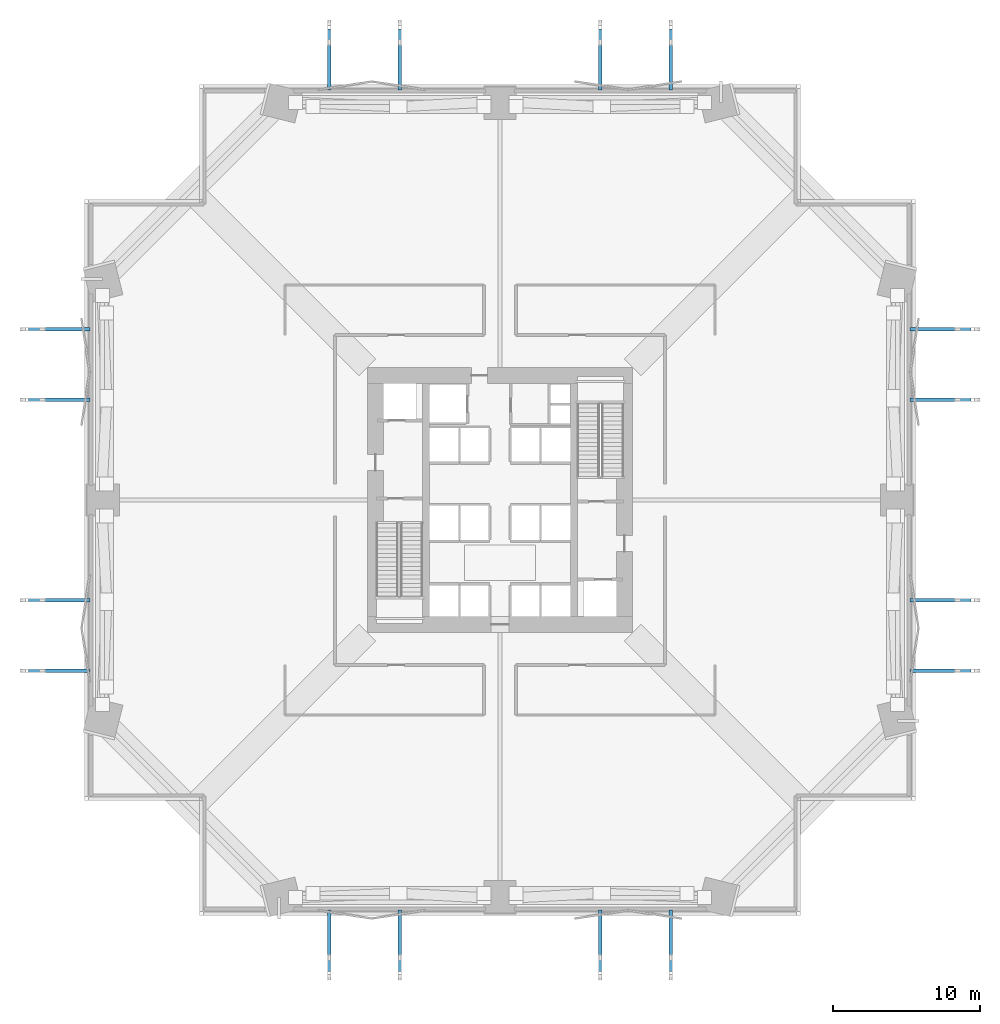
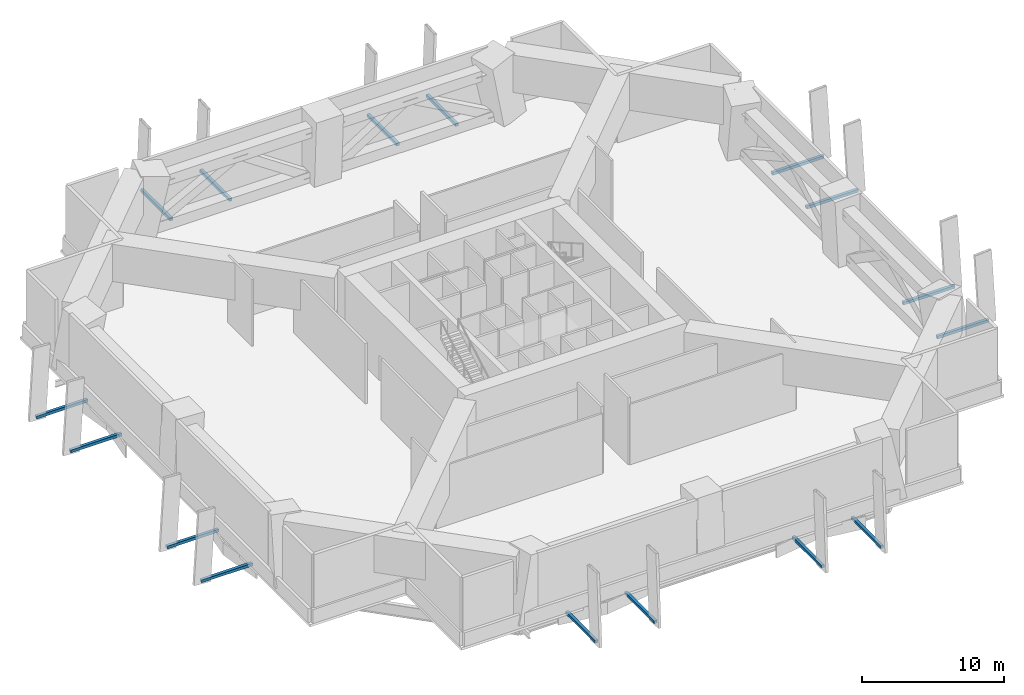
# One storey, part 5 of 6: 16 discrete accessories.
"""IFC4 building model written with IfcOpenShell, lengths in metres."""

import ifcopenshell
import ifcopenshell.guid

model = None  # the IFC model being written
_history = None  # IfcOwnerHistory: only IFC2X3 demands one
_inside = {}  # id of a spatial element -> (the spatial element, [elements in it])
_under = {}  # id of a project, library or spatial element -> (it, [spatial elements below it])
_declared = {}  # id of a project -> (the project, [libraries it declares])
_typed = {}  # id of a type object -> (the type object, [elements of that type])
_made_of = {}  # id of a material, layer set ... -> (it, [elements and type objects made of it])


def new_model(schema):
    """Start an empty IFC model of exactly this schema.

    Asked for "IFC4X3", IfcOpenShell would pick the latest addendum, in which some entities
    have other attributes; the version numbers below select the first issue.
    IFC2X3 requires an IfcOwnerHistory on every rooted entity: one is made here for all.
    """
    global model, _history
    if schema == "IFC4X3":
        model = ifcopenshell.file(schema_version=(4, 3, 0, 0))
    else:
        model = ifcopenshell.file(schema=schema)
    _inside.clear()
    _under.clear()
    _declared.clear()
    _typed.clear()
    _made_of.clear()
    _history = None
    if model.schema == "IFC2X3":
        org = make("IfcOrganization", Name="unknown")
        user = make(
            "IfcPersonAndOrganization",
            ThePerson=make("IfcPerson", FamilyName="unknown"),
            TheOrganization=org,
        )
        app = make(
            "IfcApplication",
            ApplicationDeveloper=org,
            Version="unknown",
            ApplicationFullName="unknown",
            ApplicationIdentifier="unknown",
        )
        _history = make(
            "IfcOwnerHistory",
            OwningUser=user,
            OwningApplication=app,
            ChangeAction="ADDED",
            CreationDate=0,
        )
    return model


def make(cls, **values):
    """One entity of the class cls with the attributes given. An attribute that is None is left unset."""
    return model.create_entity(
        cls, **{name: value for name, value in values.items() if value is not None}
    )


def rooted(cls, **values):
    """An entity with a GlobalId (a new one), such as an element, a storey or a relation."""
    return make(cls, GlobalId=ifcopenshell.guid.new(), OwnerHistory=_history, **values)


def si_unit(unit_type, name, prefix=None):
    """IfcSIUnit, for example si_unit("LENGTHUNIT", "METRE", prefix="MILLI")."""
    return make("IfcSIUnit", UnitType=unit_type, Prefix=prefix, Name=name)


def assignment(units):
    """IfcUnitAssignment: the units of a project."""
    return None if units is None else make("IfcUnitAssignment", Units=units)


def point(xyz):
    """IfcCartesianPoint."""
    return None if xyz is None else make("IfcCartesianPoint", Coordinates=xyz)


def direction(xyz):
    """IfcDirection."""
    return None if xyz is None else make("IfcDirection", DirectionRatios=xyz)


def frame(location, z_axis=None, x_axis=None):
    """IfcAxis2Placement3D, a coordinate frame: its origin and axes. An axis left out is left unset."""
    return make(
        "IfcAxis2Placement3D",
        Location=point(location),
        Axis=direction(z_axis),
        RefDirection=direction(x_axis),
    )


def frame_2d(location, x_axis=None):
    """IfcAxis2Placement2D, a coordinate frame in the plane: its origin and x axis."""
    return make(
        "IfcAxis2Placement2D", Location=point(location), RefDirection=direction(x_axis)
    )


def origin():
    """The frame at (0, 0, 0) with its axes left unset."""
    return frame((0.0, 0.0, 0.0))


def origin_2d():
    """The frame at (0, 0) in the plane with its x axis left unset."""
    return frame_2d((0.0, 0.0))


def place(relative_to, where):
    """IfcLocalPlacement: puts the frame where relative to a parent placement (None: the world)."""
    return make(
        "IfcLocalPlacement", PlacementRelTo=relative_to, RelativePlacement=where
    )


def context(
    kind, dimensions, precision=None, world=None, true_north=None, identifier=None
):
    """IfcGeometricRepresentationContext, for example the 3D "Model" context."""
    return make(
        "IfcGeometricRepresentationContext",
        ContextIdentifier=identifier,
        ContextType=kind,
        CoordinateSpaceDimension=dimensions,
        Precision=precision,
        WorldCoordinateSystem=world,
        TrueNorth=true_north,
    )


def subcontext(parent, identifier, kind, view, scale=None):
    """IfcGeometricRepresentationSubContext, for example "Body" below "Model"."""
    return make(
        "IfcGeometricRepresentationSubContext",
        ContextIdentifier=identifier,
        ContextType=kind,
        ParentContext=parent,
        TargetScale=scale,
        TargetView=view,
    )


def project(units=None, contexts=None):
    """IfcProject with its units and contexts."""
    return rooted(
        "IfcProject",
        Name="project",
        RepresentationContexts=contexts,
        UnitsInContext=assignment(units),
    )


def spatial(cls, under=None, at=None, **own):
    """A site, building, storey or space (cls), placed at a placement, below another one or the project."""
    s = rooted(cls, ObjectPlacement=at, **own)
    if under is not None:
        _under.setdefault(under.id(), (under, []))[1].append(s)
    return s


def profile(cls, at=None, kind="AREA", **sizes):
    """A parametric profile (cls). Its sizes go by their IFC names, for example OverallWidth=200.0."""
    return make(cls, ProfileType=kind, Position=at, **sizes)


def rectangle(**sizes):
    """IfcRectangleProfileDef."""
    return profile("IfcRectangleProfileDef", **sizes)


def extrude(swept, where, along, depth):
    """IfcExtrudedAreaSolid: the profile swept, set in the frame where, extruded along a direction by depth."""
    return make(
        "IfcExtrudedAreaSolid",
        SweptArea=swept,
        Position=where,
        ExtrudedDirection=direction(along),
        Depth=depth,
    )


def shape(context_of_items, identifier, shape_type, items):
    """IfcShapeRepresentation: the items that make up one representation, for example the "Body"."""
    return make(
        "IfcShapeRepresentation",
        ContextOfItems=context_of_items,
        RepresentationIdentifier=identifier,
        RepresentationType=shape_type,
        Items=items,
    )


def material(Name=None, Category=None):
    """IfcMaterial."""
    return make("IfcMaterial", Name=Name, Category=Category)


def layer(
    of_material, thickness, ventilated=None, Name=None, Category=None, Priority=None
):
    """IfcMaterialLayer: one layer of a wall or slab, of a material (None: an air gap)."""
    return make(
        "IfcMaterialLayer",
        Material=of_material,
        LayerThickness=thickness,
        IsVentilated=ventilated,
        Name=Name,
        Category=Category,
        Priority=Priority,
    )


def layer_set(layers, Name=None):
    """IfcMaterialLayerSet."""
    return make("IfcMaterialLayerSet", MaterialLayers=layers, LayerSetName=Name)


def made_of(thing, what):
    """Note that an element or type object is made of a material, layer set ...; save() writes the relation."""
    if what is not None:
        _made_of.setdefault(what.id(), (what, []))[1].append(thing)
    return thing


def type_object(cls, material=None, **own):
    """A type object (cls), such as IfcWallType, which elements share."""
    return made_of(rooted(cls, **own), material)


def element(
    cls,
    number,
    at=None,
    inside=None,
    cuts=None,
    type_object=None,
    material=None,
    context=None,
    identifier="Body",
    shape_type=None,
    held_by="IfcProductDefinitionShape",
    body=None,
    shapes=None,
    **own,
):
    """One element of the class cls, such as IfcWall. Its Tag is "e" and its number.

    at: its placement. inside: the storey or other place that contains it. cuts: it is an
    opening in that element (IfcRelVoidsElement). A single representation is given by context,
    identifier, shape_type and body (its items); several are given by shapes. held_by: the class
    of the entity that holds the representations. save() writes the other relations.
    """
    e = rooted(cls, Tag="e%d" % number, ObjectPlacement=at, **own)
    if body is not None:
        shapes = [shape(context, identifier, shape_type, body)]
    if shapes is not None:
        e.Representation = make(held_by, Representations=shapes)
    if inside is not None:
        _inside.setdefault(inside.id(), (inside, []))[1].append(e)
    if cuts is not None:
        rooted(
            "IfcRelVoidsElement", RelatingBuildingElement=cuts, RelatedOpeningElement=e
        )
    if type_object is not None:
        _typed.setdefault(type_object.id(), (type_object, []))[1].append(e)
    return made_of(e, material)


def aggregate(whole, parts):
    """IfcRelAggregates: a whole, such as a stair, and the parts it consists of."""
    return rooted("IfcRelAggregates", RelatingObject=whole, RelatedObjects=parts)


def save(model, path):
    """Write the relations noted so far, then the file.

    IfcRelAggregates (storeys below a building ...), IfcRelContainedInSpatialStructure (elements
    in a storey), IfcRelDefinesByType, IfcRelAssociatesMaterial and IfcRelDeclares: one each for
    every whole, place, type object, material and project.
    """
    for whole, parts in _under.values():
        aggregate(whole, parts)
    for where, things in _inside.values():
        rooted(
            "IfcRelContainedInSpatialStructure",
            RelatedElements=things,
            RelatingStructure=where,
        )
    for kind, things in _typed.values():
        rooted("IfcRelDefinesByType", RelatedObjects=things, RelatingType=kind)
    for what, things in _made_of.values():
        rooted("IfcRelAssociatesMaterial", RelatedObjects=things, RelatingMaterial=what)
    for by, libraries in _declared.values():
        rooted("IfcRelDeclares", RelatingContext=by, RelatedDefinitions=libraries)
    model.write(path)


model = new_model("IFC4")

# Units and contexts
model_context = context("Model", 3, precision=1e-05, world=origin(), true_north=direction((0.0, 1.0)))
body_context = subcontext(model_context, "Body", "Model", "MODEL_VIEW")
ifc_project = project(units=[si_unit("LENGTHUNIT", "METRE"), si_unit("AREAUNIT", "SQUARE_METRE"), si_unit("VOLUMEUNIT", "CUBIC_METRE"), si_unit("PLANEANGLEUNIT", "RADIAN"), si_unit("MASSUNIT", "GRAM", prefix="KILO")], contexts=[model_context])

# Site, building, storey
site_placement = place(None, origin())
site = spatial("IfcSite", under=ifc_project, at=site_placement, CompositionType="ELEMENT")
building_placement = place(site_placement, origin())
building = spatial("IfcBuilding", under=site, at=building_placement, Name="Belovzor Exchange Tower", CompositionType="ELEMENT")
storey_placement = place(building_placement, frame((0.0, 0.0, 24.0)))
storey = spatial("IfcBuildingStorey", under=building, at=storey_placement, Name="L05", CompositionType="ELEMENT", Elevation=24.0)

# Discrete accessories
ifc_material = material(Name="Stainless Steel Grade 316", Category="steel")
ifc_layer = layer(ifc_material, 0.179931640625)
ifc_layer_set = layer_set([ifc_layer], Name="Stainless Steel Grade 316")
discrete_accessory_type = type_object("IfcDiscreteAccessoryType", Name="Stainless Steel Facade Outrigger Fixing Bracket", PredefinedType="BRACKET", material=ifc_layer_set)
for number, where, z_axis, x_axis, name in (
    (1, (17.199951171875, -1.10693359375, -0.34521484375), (0.0, 0.0, 1.0), (0.0, 1.0, 0.0), "BRK-FIN1 Sweeping Fin Outrigger Bracket L05 S1"),
    (2, (17.199951171875, 58.7060546875, -0.34521484375), (0.0, 0.0, 1.0), (0.0, 1.0, 0.0), "BRK-FIN1 Sweeping Fin Outrigger Bracket L05 N1"),
    (3, (-1.10693359375, 17.199951171875, -0.34521484375), (0.0, 0.0, 1.0), (1.0, 0.0, 0.0), "BRK-FIN1 Sweeping Fin Outrigger Bracket L05 W1"),
    (4, (58.7060546875, 17.199951171875, -0.34521484375), (0.0, 0.0, 1.0), (1.0, 0.0, 0.0), "BRK-FIN1 Sweeping Fin Outrigger Bracket L05 E1"),
    (5, (22.0, -1.10693359375, -0.34521484375), (0.0, 0.0, 1.0), (0.0, 1.0, 0.0), "BRK-FIN1 Sweeping Fin Outrigger Bracket L05 S2"),
    (6, (22.0, 58.7060546875, -0.34521484375), (0.0, 0.0, 1.0), (0.0, 1.0, 0.0), "BRK-FIN1 Sweeping Fin Outrigger Bracket L05 N2"),
    (7, (-1.10693359375, 22.0, -0.34521484375), (0.0, 0.0, 1.0), (1.0, 0.0, 0.0), "BRK-FIN1 Sweeping Fin Outrigger Bracket L05 W2"),
    (8, (58.7060546875, 22.0, -0.34521484375), (0.0, 0.0, 1.0), (1.0, 0.0, 0.0), "BRK-FIN1 Sweeping Fin Outrigger Bracket L05 E2"),
    (9, (35.60009765625, -1.10693359375, -0.34521484375), (0.0, 0.0, 1.0), (0.0, 1.0, 0.0), "BRK-FIN1 Sweeping Fin Outrigger Bracket L05 S3"),
    (10, (35.60009765625, 58.7060546875, -0.34521484375), (0.0, 0.0, 1.0), (0.0, 1.0, 0.0), "BRK-FIN1 Sweeping Fin Outrigger Bracket L05 N3"),
    (11, (-1.10693359375, 35.60009765625, -0.34521484375), (0.0, 0.0, 1.0), (1.0, 0.0, 0.0), "BRK-FIN1 Sweeping Fin Outrigger Bracket L05 W3"),
    (12, (58.7060546875, 35.60009765625, -0.34521484375), (0.0, 0.0, 1.0), (1.0, 0.0, 0.0), "BRK-FIN1 Sweeping Fin Outrigger Bracket L05 E3"),
    (13, (40.39990234375, -1.10693359375, -0.34521484375), (0.0, 0.0, 1.0), (0.0, 1.0, 0.0), "BRK-FIN1 Sweeping Fin Outrigger Bracket L05 S4"),
    (14, (40.39990234375, 58.7060546875, -0.34521484375), (0.0, 0.0, 1.0), (0.0, 1.0, 0.0), "BRK-FIN1 Sweeping Fin Outrigger Bracket L05 N4"),
    (15, (-1.10693359375, 40.39990234375, -0.34521484375), (0.0, 0.0, 1.0), (1.0, 0.0, 0.0), "BRK-FIN1 Sweeping Fin Outrigger Bracket L05 W4"),
    (16, (58.7060546875, 40.39990234375, -0.34521484375), (0.0, 0.0, 1.0), (1.0, 0.0, 0.0), "BRK-FIN1 Sweeping Fin Outrigger Bracket L05 E4"),
):
    element("IfcDiscreteAccessory", number, at=place(storey_placement, frame(where, z_axis=z_axis, x_axis=x_axis)), inside=storey, type_object=discrete_accessory_type, Name=name, PredefinedType="BRACKET", context=body_context, shape_type="SweptSolid", body=[
        extrude(rectangle(XDim=4.173095703125, YDim=0.239990234375, at=origin_2d()), origin(), (0.0, 0.0, 1.0), 0.239990234375),
    ])

save(model, "model.ifc")
